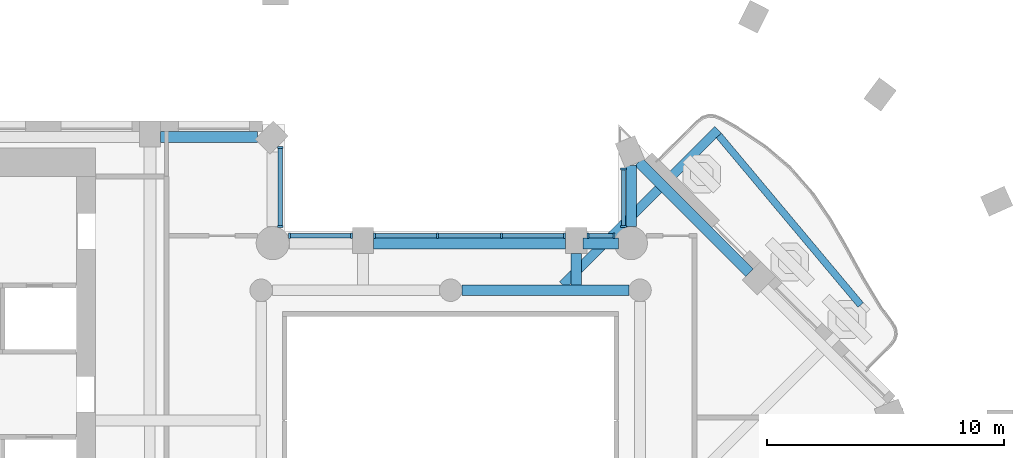
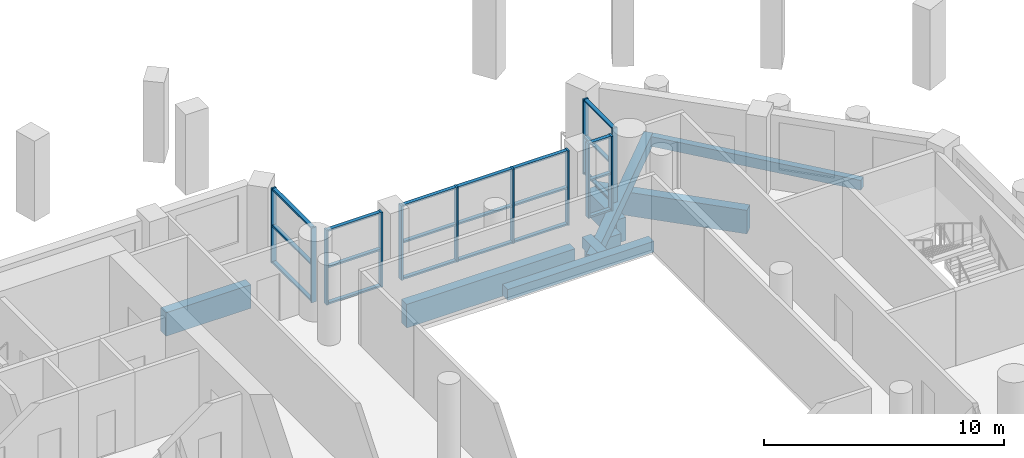
# One storey, part 2 of 15: 33 members, 9 beams, 5 elements without a shape of their own.
"""IFC4 building model written with IfcOpenShell, lengths in metres."""

from ifc_helpers import new_model, si_unit, direction, frame, origin, origin_2d, place, context, subcontext, project, spatial, rectangle, extrude, material, material_profile, profile_set, type_object, element, aggregate, save


model = new_model("IFC4")

# Units and contexts
model_context = context("Model", 3, precision=1e-05, world=origin(), true_north=direction((0.0, 1.0)))
body_context = subcontext(model_context, "Body", "Model", "MODEL_VIEW")
ifc_project = project(units=[si_unit("LENGTHUNIT", "METRE"), si_unit("AREAUNIT", "SQUARE_METRE"), si_unit("VOLUMEUNIT", "CUBIC_METRE"), si_unit("PLANEANGLEUNIT", "RADIAN"), si_unit("MASSUNIT", "GRAM", prefix="KILO")], contexts=[model_context])

# Site, building, storey
site_placement = place(None, origin())
site = spatial("IfcSite", under=ifc_project, at=site_placement, CompositionType="ELEMENT")
building_placement = place(site_placement, origin())
building = spatial("IfcBuilding", under=site, at=building_placement, Name="Cypress Arch Tower", CompositionType="ELEMENT")
storey_placement = place(building_placement, frame((0.0, 0.0, 234.300048828125)))
storey = spatial("IfcBuildingStorey", under=building, at=storey_placement, Name="L52", CompositionType="ELEMENT", Elevation=234.300048828125)

# Beams
ifc_material_1 = material(Name="Concrete C50/60", Category="concrete")
ifc_material_profile_1 = material_profile(ifc_material_1, rectangle(XDim=0.300048828125, YDim=0.5, at=origin_2d()), Name="RC 300x500")
ifc_profile_set_1 = profile_set([ifc_material_profile_1], Name="Concrete C50/60")
beam_type_1 = type_object("IfcBeamType", Name="Balcony edge beam RC 300x500 Concrete C50/60", PredefinedType="BEAM", material=ifc_profile_set_1)
beam_1_placement = place(storey_placement, frame((18.320068359375, 9.378662109375, -0.550048828125), z_axis=(-0.642120145575, 0.766604016848, 0.0), x_axis=(-0.766604016848, -0.642120145575, 0.0)))
element("IfcBeam", 1, at=beam_1_placement, inside=storey, type_object=beam_type_1, Name="Balcony edge beam L52 B05", PredefinedType="BEAM", context=body_context, shape_type="SweptSolid", body=[
    extrude(rectangle(XDim=0.300048828125, YDim=0.5, at=origin_2d()), origin(), (0.0, 0.0, 1.0), 9.33154296875),
])
ifc_material_2 = material(Name="Concrete C50/60", Category="concrete")
ifc_material_profile_2 = material_profile(ifc_material_2, rectangle(XDim=0.39990234375, YDim=0.64990234375, at=origin_2d()), Name="RC 400x650")
ifc_profile_set_2 = profile_set([ifc_material_profile_2], Name="Concrete C50/60")
beam_type_2 = type_object("IfcBeamType", Name="Cantilever beam RC 400x650 Concrete C50/60", PredefinedType="BEAM", material=ifc_profile_set_2)
beam_2_placement = place(storey_placement, frame((5.738037109375, 10.22509765625, -0.625), z_axis=(0.707106781187, 0.707106781187, 0.0), x_axis=(-0.707106781187, 0.707106781187, 0.0)))
element("IfcBeam", 2, at=beam_2_placement, inside=storey, type_object=beam_type_2, Name="Cantilever beam L52 B05 2", PredefinedType="BEAM", context=body_context, shape_type="SweptSolid", body=[
    extrude(rectangle(XDim=0.39990234375, YDim=0.64990234375, at=origin_2d()), origin(), (0.0, 0.0, 1.0), 9.269775390625),
])
ifc_material_3 = material(Name="Concrete C50/60", Category="concrete")
ifc_material_profile_3 = material_profile(ifc_material_3, rectangle(XDim=0.449951171875, YDim=0.550048828125, at=origin_2d()), Name="RC 450x550")
ifc_profile_set_3 = profile_set([ifc_material_profile_3], Name="Concrete C50/60")
beam_type_3 = type_object("IfcBeamType", Name="Floor beam RC 450x550 Concrete C50/60", PredefinedType="BEAM", material=ifc_profile_set_3)
beam_3_placement = place(storey_placement, frame((1.47509765625, 10.0, -0.574951171875), z_axis=(1.0, 0.0, 0.0), x_axis=(0.0, 1.0, 0.0)))
element("IfcBeam", 3, at=beam_3_placement, inside=storey, type_object=beam_type_3, Name="Floor beam L52 RB008", PredefinedType="BEAM", context=body_context, shape_type="SweptSolid", body=[
    extrude(rectangle(XDim=0.449951171875, YDim=0.550048828125, at=origin_2d()), origin(), (0.0, 0.0, 1.0), 7.0498046875),
])
beam_4_placement = place(storey_placement, frame((6.300048828125, 10.22509765625, -0.574951171875), z_axis=(0.0, 1.0, 0.0), x_axis=(-1.0, 0.0, 0.0)))
element("IfcBeam", 4, at=beam_4_placement, inside=storey, type_object=beam_type_3, Name="Floor beam L52 FB017", PredefinedType="BEAM", context=body_context, shape_type="SweptSolid", body=[
    extrude(rectangle(XDim=0.449951171875, YDim=0.550048828125, at=origin_2d()), origin(), (0.0, 0.0, 1.0), 1.324951171875),
])

# Curtain wall, members
ifc_material_4 = material(Name="Anodised aluminium, bronze finish, clear laminated double glazing", Category="aluminium")
curtain_wall_type = type_object("IfcCurtainWallType", Name="Curtain wall CW7 slot glazing", PredefinedType="NOTDEFINED", material=ifc_material_4)
curtain_wall_1_placement = place(storey_placement, origin())
curtain_wall_1 = element("IfcCurtainWall", 5, at=curtain_wall_1_placement, inside=storey, type_object=curtain_wall_type, Name="Curtain wall L52 slot B06.0", PredefinedType="NOTDEFINED")
ifc_material_5 = material(Name="Anodised aluminium, bronze finish", Category="aluminium")
ifc_material_profile_4 = material_profile(ifc_material_5, rectangle(XDim=0.239990234375, YDim=0.0849609375, at=origin_2d()), Name="Mullion 85x240")
ifc_profile_set_4 = profile_set([ifc_material_profile_4], Name="Anodised aluminium, bronze finish")
member_type_1 = type_object("IfcMemberType", Name="Mullion CW7 85x240", PredefinedType="MULLION", material=ifc_profile_set_4)
member_1_placement = place(storey_placement, frame((8.300048828125, 15.12744140625, 0.0), z_axis=(0.0, 0.0, 1.0), x_axis=(1.0, 0.0, 0.0)))
member_1 = element("IfcMember", 6, at=member_1_placement, type_object=member_type_1, Name="CW7 mullion 1", PredefinedType="MULLION", context=body_context, shape_type="SweptSolid", body=[
    extrude(rectangle(XDim=0.239990234375, YDim=0.0849609375, at=origin_2d()), origin(), (0.0, 0.0, 1.0), 3.800048828125),
])
member_2_placement = place(storey_placement, frame((8.300048828125, 12.697021484375, 0.0), z_axis=(0.0, 0.0, 1.0), x_axis=(1.0, 0.0, 0.0)))
member_2 = element("IfcMember", 7, at=member_2_placement, type_object=member_type_1, Name="CW7 mullion 2", PredefinedType="MULLION", context=body_context, shape_type="SweptSolid", body=[
    extrude(rectangle(XDim=0.239990234375, YDim=0.0849609375, at=origin_2d()), origin(), (0.0, 0.0, 1.0), 3.800048828125),
])

curtain_wall_2_placement = place(storey_placement, origin())
curtain_wall_2 = element("IfcCurtainWall", 8, at=curtain_wall_2_placement, inside=storey, type_object=curtain_wall_type, Name="Curtain wall L52 slot B07.0", PredefinedType="NOTDEFINED")
member_3_placement = place(storey_placement, frame((7.903076171875, 12.300048828125, 0.0), z_axis=(0.0, 0.0, 1.0), x_axis=(0.0, -1.0, 0.0)))
member_3 = element("IfcMember", 9, at=member_3_placement, type_object=member_type_1, Name="CW7 mullion 1", PredefinedType="MULLION", context=body_context, shape_type="SweptSolid", body=[
    extrude(rectangle(XDim=0.239990234375, YDim=0.0849609375, at=origin_2d()), origin(), (0.0, 0.0, 1.0), 3.800048828125),
])
member_4_placement = place(storey_placement, frame((6.79248046875, 12.300048828125, 0.0), z_axis=(0.0, 0.0, 1.0), x_axis=(0.0, -1.0, 0.0)))
member_4 = element("IfcMember", 10, at=member_4_placement, type_object=member_type_1, Name="CW7 mullion 2", PredefinedType="MULLION", context=body_context, shape_type="SweptSolid", body=[
    extrude(rectangle(XDim=0.239990234375, YDim=0.0849609375, at=origin_2d()), origin(), (0.0, 0.0, 1.0), 3.800048828125),
])

curtain_wall_3_placement = place(storey_placement, origin())
curtain_wall_3 = element("IfcCurtainWall", 11, at=curtain_wall_3_placement, inside=storey, type_object=curtain_wall_type, Name="Curtain wall L52 slot B07.1", PredefinedType="NOTDEFINED")
member_5_placement = place(storey_placement, frame((5.8076171875, 12.300048828125, 0.0), z_axis=(0.0, 0.0, 1.0), x_axis=(0.0, -1.0, 0.0)))
member_5 = element("IfcMember", 12, at=member_5_placement, type_object=member_type_1, Name="CW7 mullion 1", PredefinedType="MULLION", context=body_context, shape_type="SweptSolid", body=[
    extrude(rectangle(XDim=0.239990234375, YDim=0.0849609375, at=origin_2d()), origin(), (0.0, 0.0, 1.0), 3.800048828125),
])
member_6_placement = place(storey_placement, frame((3.14990234375, 12.300048828125, 0.0), z_axis=(0.0, 0.0, 1.0), x_axis=(0.0, -1.0, 0.0)))
member_6 = element("IfcMember", 13, at=member_6_placement, type_object=member_type_1, Name="CW7 mullion 2", PredefinedType="MULLION", context=body_context, shape_type="SweptSolid", body=[
    extrude(rectangle(XDim=0.239990234375, YDim=0.0849609375, at=origin_2d()), origin(), (0.0, 0.0, 1.0), 3.800048828125),
])
member_7_placement = place(storey_placement, frame((0.449951171875, 12.300048828125, 0.0), z_axis=(0.0, 0.0, 1.0), x_axis=(0.0, -1.0, 0.0)))
member_7 = element("IfcMember", 14, at=member_7_placement, type_object=member_type_1, Name="CW7 mullion 3", PredefinedType="MULLION", context=body_context, shape_type="SweptSolid", body=[
    extrude(rectangle(XDim=0.239990234375, YDim=0.0849609375, at=origin_2d()), origin(), (0.0, 0.0, 1.0), 3.800048828125),
])
member_8_placement = place(storey_placement, frame((-2.20751953125, 12.300048828125, 0.0), z_axis=(0.0, 0.0, 1.0), x_axis=(0.0, -1.0, 0.0)))
member_8 = element("IfcMember", 15, at=member_8_placement, type_object=member_type_1, Name="CW7 mullion 4", PredefinedType="MULLION", context=body_context, shape_type="SweptSolid", body=[
    extrude(rectangle(XDim=0.239990234375, YDim=0.0849609375, at=origin_2d()), origin(), (0.0, 0.0, 1.0), 3.800048828125),
])

curtain_wall_4_placement = place(storey_placement, origin())
curtain_wall_4 = element("IfcCurtainWall", 16, at=curtain_wall_4_placement, inside=storey, type_object=curtain_wall_type, Name="Curtain wall L52 slot B07.2", PredefinedType="NOTDEFINED")
member_9_placement = place(storey_placement, frame((-3.1923828125, 12.300048828125, 0.0), z_axis=(0.0, 0.0, 1.0), x_axis=(0.0, -1.0, 0.0)))
member_9 = element("IfcMember", 17, at=member_9_placement, type_object=member_type_1, Name="CW7 mullion 1", PredefinedType="MULLION", context=body_context, shape_type="SweptSolid", body=[
    extrude(rectangle(XDim=0.239990234375, YDim=0.0849609375, at=origin_2d()), origin(), (0.0, 0.0, 1.0), 3.800048828125),
])
member_10_placement = place(storey_placement, frame((-5.802978515625, 12.300048828125, 0.0), z_axis=(0.0, 0.0, 1.0), x_axis=(0.0, -1.0, 0.0)))
member_10 = element("IfcMember", 18, at=member_10_placement, type_object=member_type_1, Name="CW7 mullion 2", PredefinedType="MULLION", context=body_context, shape_type="SweptSolid", body=[
    extrude(rectangle(XDim=0.239990234375, YDim=0.0849609375, at=origin_2d()), origin(), (0.0, 0.0, 1.0), 3.800048828125),
])

curtain_wall_5_placement = place(storey_placement, origin())
curtain_wall_5 = element("IfcCurtainWall", 19, at=curtain_wall_5_placement, inside=storey, type_object=curtain_wall_type, Name="Curtain wall L52 slot B08.0", PredefinedType="NOTDEFINED")
member_11_placement = place(storey_placement, frame((-6.199951171875, 12.697021484375, 0.0), z_axis=(0.0, 0.0, 1.0), x_axis=(-1.0, 0.0, 0.0)))
member_11 = element("IfcMember", 20, at=member_11_placement, type_object=member_type_1, Name="CW7 mullion 1", PredefinedType="MULLION", context=body_context, shape_type="SweptSolid", body=[
    extrude(rectangle(XDim=0.239990234375, YDim=0.0849609375, at=origin_2d()), origin(), (0.0, 0.0, 1.0), 3.800048828125),
])
member_12_placement = place(storey_placement, frame((-6.199951171875, 16.02099609375, 0.0), z_axis=(0.0, 0.0, 1.0), x_axis=(-1.0, 0.0, 0.0)))
member_12 = element("IfcMember", 21, at=member_12_placement, type_object=member_type_1, Name="CW7 mullion 2", PredefinedType="MULLION", context=body_context, shape_type="SweptSolid", body=[
    extrude(rectangle(XDim=0.239990234375, YDim=0.0849609375, at=origin_2d()), origin(), (0.0, 0.0, 1.0), 3.800048828125),
])

# Beams
ifc_material_6 = material(Name="Concrete C50/60", Category="concrete")
ifc_material_profile_5 = material_profile(ifc_material_6, rectangle(XDim=0.449951171875, YDim=1.199951171875, at=origin_2d()), Name="RC 450x1200")
ifc_profile_set_5 = profile_set([ifc_material_profile_5], Name="Concrete C50/60")
beam_type_4 = type_object("IfcBeamType", Name="Spandrel beam RC 450x1200 Concrete C50/60", PredefinedType="SPANDREL", material=ifc_profile_set_5)
beam_5_placement = place(storey_placement, frame((13.622802734375, 10.73486328125, -1.550048828125), z_axis=(-0.707106781187, 0.707106781187, 0.0), x_axis=(-0.707106781187, -0.707106781187, 0.0)))
element("IfcBeam", 22, at=beam_5_placement, inside=storey, type_object=beam_type_4, Name="Spandrel beam L52 BB05-1", PredefinedType="SPANDREL", context=body_context, shape_type="SweptSolid", body=[
    extrude(rectangle(XDim=0.449951171875, YDim=1.199951171875, at=origin_2d()), origin(), (0.0, 0.0, 1.0), 6.610595703125),
])
beam_6_placement = place(storey_placement, frame((8.625, 15.275146484375, -1.550048828125), z_axis=(0.0, -1.0, 0.0), x_axis=(1.0, 0.0, 0.0)))
element("IfcBeam", 23, at=beam_6_placement, inside=storey, type_object=beam_type_4, Name="Spandrel beam L52 BB06-0", PredefinedType="SPANDREL", context=body_context, shape_type="SweptSolid", body=[
    extrude(rectangle(XDim=0.449951171875, YDim=1.199951171875, at=origin_2d()), origin(), (0.0, 0.0, 1.0), 2.587646484375),
])
beam_7_placement = place(storey_placement, frame((8.081298828125, 11.97509765625, -1.550048828125), z_axis=(-1.0, 0.0, 0.0), x_axis=(0.0, -1.0, 0.0)))
element("IfcBeam", 24, at=beam_7_placement, inside=storey, type_object=beam_type_4, Name="Spandrel beam L52 BB07-0", PredefinedType="SPANDREL", context=body_context, shape_type="SweptSolid", body=[
    extrude(rectangle(XDim=0.449951171875, YDim=1.199951171875, at=origin_2d()), origin(), (0.0, 0.0, 1.0), 1.5),
])
beam_8_placement = place(storey_placement, frame((5.85009765625, 11.97509765625, -1.550048828125), z_axis=(-1.0, 0.0, 0.0), x_axis=(0.0, -1.0, 0.0)))
element("IfcBeam", 25, at=beam_8_placement, inside=storey, type_object=beam_type_4, Name="Spandrel beam L52 BB07-1", PredefinedType="SPANDREL", context=body_context, shape_type="SweptSolid", body=[
    extrude(rectangle(XDim=0.449951171875, YDim=1.199951171875, at=origin_2d()), origin(), (0.0, 0.0, 1.0), 8.10009765625),
])
beam_9_placement = place(storey_placement, frame((-7.161376953125, 16.47509765625, -1.550048828125), z_axis=(-1.0, 0.0, 0.0), x_axis=(0.0, -1.0, 0.0)))
element("IfcBeam", 26, at=beam_9_placement, inside=storey, type_object=beam_type_4, Name="Spandrel beam L52 BB09-0", PredefinedType="SPANDREL", context=body_context, shape_type="SweptSolid", body=[
    extrude(rectangle(XDim=0.449951171875, YDim=1.199951171875, at=origin_2d()), origin(), (0.0, 0.0, 1.0), 4.088623046875),
])

# Member
ifc_material_7 = material(Name="Anodised aluminium, bronze finish", Category="aluminium")
ifc_material_profile_6 = material_profile(ifc_material_7, rectangle(XDim=0.179931640625, YDim=0.0849609375, at=origin_2d()), Name="Transom 85x180")
ifc_profile_set_6 = profile_set([ifc_material_profile_6], Name="Anodised aluminium, bronze finish")
member_type_2 = type_object("IfcMemberType", Name="Transom CW7 85x180", PredefinedType="USERDEFINED", material=ifc_profile_set_6)
member_13_placement = place(storey_placement, frame((8.300048828125, 15.0849609375, 0.04248046875), z_axis=(0.0, -1.0, 0.0), x_axis=(1.0, 0.0, 0.0)))
member_13 = element("IfcMember", 27, at=member_13_placement, type_object=member_type_2, Name="CW7 transom 1.1", ObjectType="TRANSOM", PredefinedType="USERDEFINED", context=body_context, shape_type="SweptSolid", body=[
    extrude(rectangle(XDim=0.179931640625, YDim=0.0849609375, at=origin_2d()), origin(), (0.0, 0.0, 1.0), 2.345458984375),
])

member_14_placement = place(storey_placement, frame((8.300048828125, 15.0849609375, 1.89990234375), z_axis=(0.0, -1.0, 0.0), x_axis=(1.0, 0.0, 0.0)))
member_14 = element("IfcMember", 28, at=member_14_placement, type_object=member_type_2, Name="CW7 transom 1.2", ObjectType="TRANSOM", PredefinedType="USERDEFINED", context=body_context, shape_type="SweptSolid", body=[
    extrude(rectangle(XDim=0.179931640625, YDim=0.0849609375, at=origin_2d()), origin(), (0.0, 0.0, 1.0), 2.345458984375),
])

member_15_placement = place(storey_placement, frame((8.300048828125, 15.0849609375, 3.757568359375), z_axis=(0.0, -1.0, 0.0), x_axis=(1.0, 0.0, 0.0)))
member_15 = element("IfcMember", 29, at=member_15_placement, type_object=member_type_2, Name="CW7 transom 1.3", ObjectType="TRANSOM", PredefinedType="USERDEFINED", context=body_context, shape_type="SweptSolid", body=[
    extrude(rectangle(XDim=0.179931640625, YDim=0.0849609375, at=origin_2d()), origin(), (0.0, 0.0, 1.0), 2.345458984375),
])

aggregate(curtain_wall_1, [member_1, member_2, member_13, member_14, member_15])

member_16_placement = place(storey_placement, frame((7.8603515625, 12.300048828125, 0.04248046875), z_axis=(-1.0, 0.0, 0.0), x_axis=(0.0, -1.0, 0.0)))
member_16 = element("IfcMember", 30, at=member_16_placement, type_object=member_type_2, Name="CW7 transom 1.1", ObjectType="TRANSOM", PredefinedType="USERDEFINED", context=body_context, shape_type="SweptSolid", body=[
    extrude(rectangle(XDim=0.179931640625, YDim=0.0849609375, at=origin_2d()), origin(), (0.0, 0.0, 1.0), 1.025390625),
])

member_17_placement = place(storey_placement, frame((7.8603515625, 12.300048828125, 1.89990234375), z_axis=(-1.0, 0.0, 0.0), x_axis=(0.0, -1.0, 0.0)))
member_17 = element("IfcMember", 31, at=member_17_placement, type_object=member_type_2, Name="CW7 transom 1.2", ObjectType="TRANSOM", PredefinedType="USERDEFINED", context=body_context, shape_type="SweptSolid", body=[
    extrude(rectangle(XDim=0.179931640625, YDim=0.0849609375, at=origin_2d()), origin(), (0.0, 0.0, 1.0), 1.025390625),
])

member_18_placement = place(storey_placement, frame((7.8603515625, 12.300048828125, 3.757568359375), z_axis=(-1.0, 0.0, 0.0), x_axis=(0.0, -1.0, 0.0)))
member_18 = element("IfcMember", 32, at=member_18_placement, type_object=member_type_2, Name="CW7 transom 1.3", ObjectType="TRANSOM", PredefinedType="USERDEFINED", context=body_context, shape_type="SweptSolid", body=[
    extrude(rectangle(XDim=0.179931640625, YDim=0.0849609375, at=origin_2d()), origin(), (0.0, 0.0, 1.0), 1.025390625),
])

aggregate(curtain_wall_2, [member_3, member_4, member_16, member_17, member_18])

member_19_placement = place(storey_placement, frame((5.764892578125, 12.300048828125, 0.04248046875), z_axis=(-1.0, 0.0, 0.0), x_axis=(0.0, -1.0, 0.0)))
member_19 = element("IfcMember", 33, at=member_19_placement, type_object=member_type_2, Name="CW7 transom 1.1", ObjectType="TRANSOM", PredefinedType="USERDEFINED", context=body_context, shape_type="SweptSolid", body=[
    extrude(rectangle(XDim=0.179931640625, YDim=0.0849609375, at=origin_2d()), origin(), (0.0, 0.0, 1.0), 2.572509765625),
])

member_20_placement = place(storey_placement, frame((5.764892578125, 12.300048828125, 1.89990234375), z_axis=(-1.0, 0.0, 0.0), x_axis=(0.0, -1.0, 0.0)))
member_20 = element("IfcMember", 34, at=member_20_placement, type_object=member_type_2, Name="CW7 transom 1.2", ObjectType="TRANSOM", PredefinedType="USERDEFINED", context=body_context, shape_type="SweptSolid", body=[
    extrude(rectangle(XDim=0.179931640625, YDim=0.0849609375, at=origin_2d()), origin(), (0.0, 0.0, 1.0), 2.572509765625),
])

member_21_placement = place(storey_placement, frame((5.764892578125, 12.300048828125, 3.757568359375), z_axis=(-1.0, 0.0, 0.0), x_axis=(0.0, -1.0, 0.0)))
member_21 = element("IfcMember", 35, at=member_21_placement, type_object=member_type_2, Name="CW7 transom 1.3", ObjectType="TRANSOM", PredefinedType="USERDEFINED", context=body_context, shape_type="SweptSolid", body=[
    extrude(rectangle(XDim=0.179931640625, YDim=0.0849609375, at=origin_2d()), origin(), (0.0, 0.0, 1.0), 2.572509765625),
])

member_22_placement = place(storey_placement, frame((3.107421875, 12.300048828125, 0.04248046875), z_axis=(-1.0, 0.0, 0.0), x_axis=(0.0, -1.0, 0.0)))
member_22 = element("IfcMember", 36, at=member_22_placement, type_object=member_type_2, Name="CW7 transom 2.1", ObjectType="TRANSOM", PredefinedType="USERDEFINED", context=body_context, shape_type="SweptSolid", body=[
    extrude(rectangle(XDim=0.179931640625, YDim=0.0849609375, at=origin_2d()), origin(), (0.0, 0.0, 1.0), 2.614990234375),
])

member_23_placement = place(storey_placement, frame((3.107421875, 12.300048828125, 1.89990234375), z_axis=(-1.0, 0.0, 0.0), x_axis=(0.0, -1.0, 0.0)))
member_23 = element("IfcMember", 37, at=member_23_placement, type_object=member_type_2, Name="CW7 transom 2.2", ObjectType="TRANSOM", PredefinedType="USERDEFINED", context=body_context, shape_type="SweptSolid", body=[
    extrude(rectangle(XDim=0.179931640625, YDim=0.0849609375, at=origin_2d()), origin(), (0.0, 0.0, 1.0), 2.614990234375),
])

member_24_placement = place(storey_placement, frame((3.107421875, 12.300048828125, 3.757568359375), z_axis=(-1.0, 0.0, 0.0), x_axis=(0.0, -1.0, 0.0)))
member_24 = element("IfcMember", 38, at=member_24_placement, type_object=member_type_2, Name="CW7 transom 2.3", ObjectType="TRANSOM", PredefinedType="USERDEFINED", context=body_context, shape_type="SweptSolid", body=[
    extrude(rectangle(XDim=0.179931640625, YDim=0.0849609375, at=origin_2d()), origin(), (0.0, 0.0, 1.0), 2.614990234375),
])

member_25_placement = place(storey_placement, frame((0.407470703125, 12.300048828125, 0.04248046875), z_axis=(-1.0, 0.0, 0.0), x_axis=(0.0, -1.0, 0.0)))
member_25 = element("IfcMember", 39, at=member_25_placement, type_object=member_type_2, Name="CW7 transom 3.1", ObjectType="TRANSOM", PredefinedType="USERDEFINED", context=body_context, shape_type="SweptSolid", body=[
    extrude(rectangle(XDim=0.179931640625, YDim=0.0849609375, at=origin_2d()), origin(), (0.0, 0.0, 1.0), 2.572509765625),
])

member_26_placement = place(storey_placement, frame((0.407470703125, 12.300048828125, 1.89990234375), z_axis=(-1.0, 0.0, 0.0), x_axis=(0.0, -1.0, 0.0)))
member_26 = element("IfcMember", 40, at=member_26_placement, type_object=member_type_2, Name="CW7 transom 3.2", ObjectType="TRANSOM", PredefinedType="USERDEFINED", context=body_context, shape_type="SweptSolid", body=[
    extrude(rectangle(XDim=0.179931640625, YDim=0.0849609375, at=origin_2d()), origin(), (0.0, 0.0, 1.0), 2.572509765625),
])

member_27_placement = place(storey_placement, frame((0.407470703125, 12.300048828125, 3.757568359375), z_axis=(-1.0, 0.0, 0.0), x_axis=(0.0, -1.0, 0.0)))
member_27 = element("IfcMember", 41, at=member_27_placement, type_object=member_type_2, Name="CW7 transom 3.3", ObjectType="TRANSOM", PredefinedType="USERDEFINED", context=body_context, shape_type="SweptSolid", body=[
    extrude(rectangle(XDim=0.179931640625, YDim=0.0849609375, at=origin_2d()), origin(), (0.0, 0.0, 1.0), 2.572509765625),
])

aggregate(curtain_wall_3, [member_5, member_6, member_7, member_8, member_19, member_20, member_21, member_22, member_23, member_24, member_25, member_26, member_27])

member_28_placement = place(storey_placement, frame((-3.235107421875, 12.300048828125, 0.04248046875), z_axis=(-1.0, 0.0, 0.0), x_axis=(0.0, -1.0, 0.0)))
member_28 = element("IfcMember", 42, at=member_28_placement, type_object=member_type_2, Name="CW7 transom 1.1", ObjectType="TRANSOM", PredefinedType="USERDEFINED", context=body_context, shape_type="SweptSolid", body=[
    extrude(rectangle(XDim=0.179931640625, YDim=0.0849609375, at=origin_2d()), origin(), (0.0, 0.0, 1.0), 2.525390625),
])

member_29_placement = place(storey_placement, frame((-3.235107421875, 12.300048828125, 1.89990234375), z_axis=(-1.0, 0.0, 0.0), x_axis=(0.0, -1.0, 0.0)))
member_29 = element("IfcMember", 43, at=member_29_placement, type_object=member_type_2, Name="CW7 transom 1.2", ObjectType="TRANSOM", PredefinedType="USERDEFINED", context=body_context, shape_type="SweptSolid", body=[
    extrude(rectangle(XDim=0.179931640625, YDim=0.0849609375, at=origin_2d()), origin(), (0.0, 0.0, 1.0), 2.525390625),
])

member_30_placement = place(storey_placement, frame((-3.235107421875, 12.300048828125, 3.757568359375), z_axis=(-1.0, 0.0, 0.0), x_axis=(0.0, -1.0, 0.0)))
member_30 = element("IfcMember", 44, at=member_30_placement, type_object=member_type_2, Name="CW7 transom 1.3", ObjectType="TRANSOM", PredefinedType="USERDEFINED", context=body_context, shape_type="SweptSolid", body=[
    extrude(rectangle(XDim=0.179931640625, YDim=0.0849609375, at=origin_2d()), origin(), (0.0, 0.0, 1.0), 2.525390625),
])

aggregate(curtain_wall_4, [member_9, member_10, member_28, member_29, member_30])

member_31_placement = place(storey_placement, frame((-6.199951171875, 12.739501953125, 0.04248046875), z_axis=(0.0, 1.0, 0.0), x_axis=(-1.0, 0.0, 0.0)))
member_31 = element("IfcMember", 45, at=member_31_placement, type_object=member_type_2, Name="CW7 transom 1.1", ObjectType="TRANSOM", PredefinedType="USERDEFINED", context=body_context, shape_type="SweptSolid", body=[
    extrude(rectangle(XDim=0.179931640625, YDim=0.0849609375, at=origin_2d()), origin(), (0.0, 0.0, 1.0), 3.239013671875),
])

member_32_placement = place(storey_placement, frame((-6.199951171875, 12.739501953125, 1.89990234375), z_axis=(0.0, 1.0, 0.0), x_axis=(-1.0, 0.0, 0.0)))
member_32 = element("IfcMember", 46, at=member_32_placement, type_object=member_type_2, Name="CW7 transom 1.2", ObjectType="TRANSOM", PredefinedType="USERDEFINED", context=body_context, shape_type="SweptSolid", body=[
    extrude(rectangle(XDim=0.179931640625, YDim=0.0849609375, at=origin_2d()), origin(), (0.0, 0.0, 1.0), 3.239013671875),
])

member_33_placement = place(storey_placement, frame((-6.199951171875, 12.739501953125, 3.757568359375), z_axis=(0.0, 1.0, 0.0), x_axis=(-1.0, 0.0, 0.0)))
member_33 = element("IfcMember", 47, at=member_33_placement, type_object=member_type_2, Name="CW7 transom 1.3", ObjectType="TRANSOM", PredefinedType="USERDEFINED", context=body_context, shape_type="SweptSolid", body=[
    extrude(rectangle(XDim=0.179931640625, YDim=0.0849609375, at=origin_2d()), origin(), (0.0, 0.0, 1.0), 3.239013671875),
])

aggregate(curtain_wall_5, [member_11, member_12, member_31, member_32, member_33])

save(model, "model.ifc")
